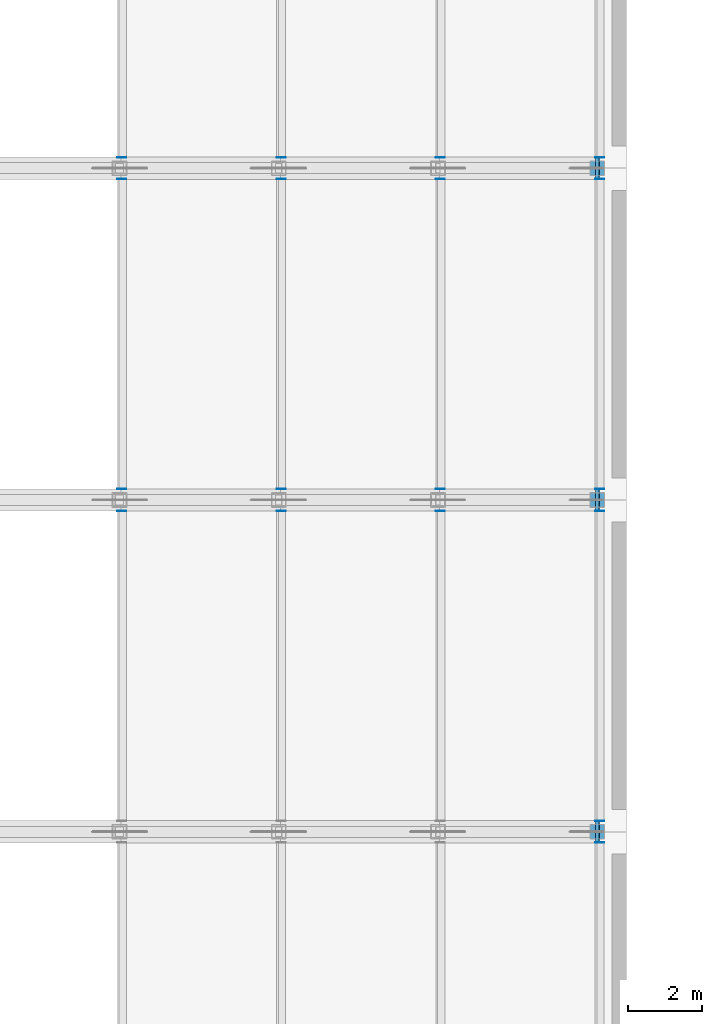
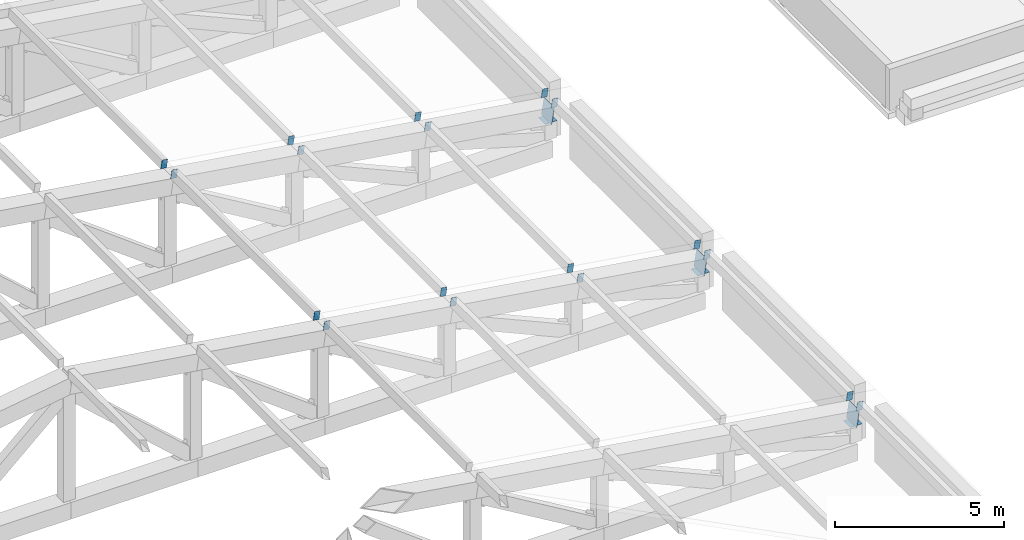
# One storey, part 29 of 32: 24 discrete accessories.
"""IFC4 building model written with IfcOpenShell, lengths in metres."""

import ifcopenshell
import ifcopenshell.guid

model = None  # the IFC model being written
_history = None  # IfcOwnerHistory: only IFC2X3 demands one
_inside = {}  # id of a spatial element -> (the spatial element, [elements in it])
_under = {}  # id of a project, library or spatial element -> (it, [spatial elements below it])
_declared = {}  # id of a project -> (the project, [libraries it declares])
_typed = {}  # id of a type object -> (the type object, [elements of that type])
_made_of = {}  # id of a material, layer set ... -> (it, [elements and type objects made of it])


def new_model(schema):
    """Start an empty IFC model of exactly this schema.

    Asked for "IFC4X3", IfcOpenShell would pick the latest addendum, in which some entities
    have other attributes; the version numbers below select the first issue.
    IFC2X3 requires an IfcOwnerHistory on every rooted entity: one is made here for all.
    """
    global model, _history
    if schema == "IFC4X3":
        model = ifcopenshell.file(schema_version=(4, 3, 0, 0))
    else:
        model = ifcopenshell.file(schema=schema)
    _inside.clear()
    _under.clear()
    _declared.clear()
    _typed.clear()
    _made_of.clear()
    _history = None
    if model.schema == "IFC2X3":
        org = make("IfcOrganization", Name="unknown")
        user = make(
            "IfcPersonAndOrganization",
            ThePerson=make("IfcPerson", FamilyName="unknown"),
            TheOrganization=org,
        )
        app = make(
            "IfcApplication",
            ApplicationDeveloper=org,
            Version="unknown",
            ApplicationFullName="unknown",
            ApplicationIdentifier="unknown",
        )
        _history = make(
            "IfcOwnerHistory",
            OwningUser=user,
            OwningApplication=app,
            ChangeAction="ADDED",
            CreationDate=0,
        )
    return model


def make(cls, **values):
    """One entity of the class cls with the attributes given. An attribute that is None is left unset."""
    return model.create_entity(
        cls, **{name: value for name, value in values.items() if value is not None}
    )


def rooted(cls, **values):
    """An entity with a GlobalId (a new one), such as an element, a storey or a relation."""
    return make(cls, GlobalId=ifcopenshell.guid.new(), OwnerHistory=_history, **values)


def si_unit(unit_type, name, prefix=None):
    """IfcSIUnit, for example si_unit("LENGTHUNIT", "METRE", prefix="MILLI")."""
    return make("IfcSIUnit", UnitType=unit_type, Prefix=prefix, Name=name)


def assignment(units):
    """IfcUnitAssignment: the units of a project."""
    return None if units is None else make("IfcUnitAssignment", Units=units)


def point(xyz):
    """IfcCartesianPoint."""
    return None if xyz is None else make("IfcCartesianPoint", Coordinates=xyz)


def direction(xyz):
    """IfcDirection."""
    return None if xyz is None else make("IfcDirection", DirectionRatios=xyz)


def frame(location, z_axis=None, x_axis=None):
    """IfcAxis2Placement3D, a coordinate frame: its origin and axes. An axis left out is left unset."""
    return make(
        "IfcAxis2Placement3D",
        Location=point(location),
        Axis=direction(z_axis),
        RefDirection=direction(x_axis),
    )


def origin():
    """The frame at (0, 0, 0) with its axes left unset."""
    return frame((0.0, 0.0, 0.0))


def place(relative_to, where):
    """IfcLocalPlacement: puts the frame where relative to a parent placement (None: the world)."""
    return make(
        "IfcLocalPlacement", PlacementRelTo=relative_to, RelativePlacement=where
    )


def context(
    kind, dimensions, precision=None, world=None, true_north=None, identifier=None
):
    """IfcGeometricRepresentationContext, for example the 3D "Model" context."""
    return make(
        "IfcGeometricRepresentationContext",
        ContextIdentifier=identifier,
        ContextType=kind,
        CoordinateSpaceDimension=dimensions,
        Precision=precision,
        WorldCoordinateSystem=world,
        TrueNorth=true_north,
    )


def subcontext(parent, identifier, kind, view, scale=None):
    """IfcGeometricRepresentationSubContext, for example "Body" below "Model"."""
    return make(
        "IfcGeometricRepresentationSubContext",
        ContextIdentifier=identifier,
        ContextType=kind,
        ParentContext=parent,
        TargetScale=scale,
        TargetView=view,
    )


def project(units=None, contexts=None):
    """IfcProject with its units and contexts."""
    return rooted(
        "IfcProject",
        Name="project",
        RepresentationContexts=contexts,
        UnitsInContext=assignment(units),
    )


def spatial(cls, under=None, at=None, **own):
    """A site, building, storey or space (cls), placed at a placement, below another one or the project."""
    s = rooted(cls, ObjectPlacement=at, **own)
    if under is not None:
        _under.setdefault(under.id(), (under, []))[1].append(s)
    return s


def polyline(points):
    """IfcPolyline through the points."""
    return make("IfcPolyline", Points=[point(p) for p in points])


def outline(outer, holes=None, kind="AREA"):
    """IfcArbitraryClosedProfileDef: a profile drawn as a closed curve; with holes, ...WithVoids."""
    if holes is None:
        return make("IfcArbitraryClosedProfileDef", ProfileType=kind, OuterCurve=outer)
    return make(
        "IfcArbitraryProfileDefWithVoids",
        ProfileType=kind,
        OuterCurve=outer,
        InnerCurves=holes,
    )


def extrude(swept, where, along, depth):
    """IfcExtrudedAreaSolid: the profile swept, set in the frame where, extruded along a direction by depth."""
    return make(
        "IfcExtrudedAreaSolid",
        SweptArea=swept,
        Position=where,
        ExtrudedDirection=direction(along),
        Depth=depth,
    )


def shape(context_of_items, identifier, shape_type, items):
    """IfcShapeRepresentation: the items that make up one representation, for example the "Body"."""
    return make(
        "IfcShapeRepresentation",
        ContextOfItems=context_of_items,
        RepresentationIdentifier=identifier,
        RepresentationType=shape_type,
        Items=items,
    )


def material(Name=None, Category=None):
    """IfcMaterial."""
    return make("IfcMaterial", Name=Name, Category=Category)


def layer(
    of_material, thickness, ventilated=None, Name=None, Category=None, Priority=None
):
    """IfcMaterialLayer: one layer of a wall or slab, of a material (None: an air gap)."""
    return make(
        "IfcMaterialLayer",
        Material=of_material,
        LayerThickness=thickness,
        IsVentilated=ventilated,
        Name=Name,
        Category=Category,
        Priority=Priority,
    )


def layer_set(layers, Name=None):
    """IfcMaterialLayerSet."""
    return make("IfcMaterialLayerSet", MaterialLayers=layers, LayerSetName=Name)


def made_of(thing, what):
    """Note that an element or type object is made of a material, layer set ...; save() writes the relation."""
    if what is not None:
        _made_of.setdefault(what.id(), (what, []))[1].append(thing)
    return thing


def type_object(cls, material=None, **own):
    """A type object (cls), such as IfcWallType, which elements share."""
    return made_of(rooted(cls, **own), material)


def element(
    cls,
    number,
    at=None,
    inside=None,
    cuts=None,
    type_object=None,
    material=None,
    context=None,
    identifier="Body",
    shape_type=None,
    held_by="IfcProductDefinitionShape",
    body=None,
    shapes=None,
    **own,
):
    """One element of the class cls, such as IfcWall. Its Tag is "e" and its number.

    at: its placement. inside: the storey or other place that contains it. cuts: it is an
    opening in that element (IfcRelVoidsElement). A single representation is given by context,
    identifier, shape_type and body (its items); several are given by shapes. held_by: the class
    of the entity that holds the representations. save() writes the other relations.
    """
    e = rooted(cls, Tag="e%d" % number, ObjectPlacement=at, **own)
    if body is not None:
        shapes = [shape(context, identifier, shape_type, body)]
    if shapes is not None:
        e.Representation = make(held_by, Representations=shapes)
    if inside is not None:
        _inside.setdefault(inside.id(), (inside, []))[1].append(e)
    if cuts is not None:
        rooted(
            "IfcRelVoidsElement", RelatingBuildingElement=cuts, RelatedOpeningElement=e
        )
    if type_object is not None:
        _typed.setdefault(type_object.id(), (type_object, []))[1].append(e)
    return made_of(e, material)


def aggregate(whole, parts):
    """IfcRelAggregates: a whole, such as a stair, and the parts it consists of."""
    return rooted("IfcRelAggregates", RelatingObject=whole, RelatedObjects=parts)


def save(model, path):
    """Write the relations noted so far, then the file.

    IfcRelAggregates (storeys below a building ...), IfcRelContainedInSpatialStructure (elements
    in a storey), IfcRelDefinesByType, IfcRelAssociatesMaterial and IfcRelDeclares: one each for
    every whole, place, type object, material and project.
    """
    for whole, parts in _under.values():
        aggregate(whole, parts)
    for where, things in _inside.values():
        rooted(
            "IfcRelContainedInSpatialStructure",
            RelatedElements=things,
            RelatingStructure=where,
        )
    for kind, things in _typed.values():
        rooted("IfcRelDefinesByType", RelatedObjects=things, RelatingType=kind)
    for what, things in _made_of.values():
        rooted("IfcRelAssociatesMaterial", RelatedObjects=things, RelatingMaterial=what)
    for by, libraries in _declared.values():
        rooted("IfcRelDeclares", RelatingContext=by, RelatedDefinitions=libraries)
    model.write(path)


model = new_model("IFC4")

# Units and contexts
model_context = context("Model", 3, precision=1e-05, world=origin(), true_north=direction((0.0, 1.0)))
body_context = subcontext(model_context, "Body", "Model", "MODEL_VIEW")
ifc_project = project(units=[si_unit("LENGTHUNIT", "METRE"), si_unit("AREAUNIT", "SQUARE_METRE"), si_unit("VOLUMEUNIT", "CUBIC_METRE"), si_unit("PLANEANGLEUNIT", "RADIAN"), si_unit("MASSUNIT", "GRAM", prefix="KILO")], contexts=[model_context])

# Site, building, storey
site_placement = place(None, origin())
site = spatial("IfcSite", under=ifc_project, at=site_placement, CompositionType="ELEMENT")
building_placement = place(site_placement, origin())
building = spatial("IfcBuilding", under=site, at=building_placement, Name="Aravalli Gate Trade Fair Centre", CompositionType="ELEMENT")
storey_placement = place(building_placement, frame((0.0, 0.0, 23.39990234375)))
storey = spatial("IfcBuildingStorey", under=building, at=storey_placement, Name="ROOF LEVEL 1", CompositionType="ELEMENT", Elevation=23.39990234375)

# Discrete accessories
ifc_material = material(Name="Steel E350", Category="steel")
ifc_layer_1 = layer(ifc_material, 0.010009765625)
ifc_layer_set_1 = layer_set([ifc_layer_1], Name="Steel E350")
discrete_accessory_type_1 = type_object("IfcDiscreteAccessoryType", Name="End plate 200x300 x 10", PredefinedType="USERDEFINED", material=ifc_layer_set_1)
for number, where, z_axis, x_axis, name in (
    (1, (137.18408203125, 90.7099609375, 3.761474609375), (0.0, 1.0, 0.0), (-0.988456294987, 0.0, 0.151506280072), "End plate Roof purlin line 8 bay 3 end B"),
    (2, (137.18408203125, 91.300048828125, 3.761474609375), (0.0, 1.0, 0.0), (-0.988456294987, 0.0, 0.151506280072), "End plate Roof purlin line 8 bay 4 end A"),
    (3, (137.18408203125, 99.7099609375, 3.761474609375), (0.0, 1.0, 0.0), (-0.988456294987, 0.0, 0.151506280072), "End plate Roof purlin line 8 bay 4 end B"),
    (4, (137.18408203125, 100.300048828125, 3.761474609375), (0.0, 1.0, 0.0), (-0.988456294987, 0.0, 0.151506280072), "End plate Roof purlin line 8 bay 5 end A"),
):
    element("IfcDiscreteAccessory", number, at=place(storey_placement, frame(where, z_axis=z_axis, x_axis=x_axis)), inside=storey, type_object=discrete_accessory_type_1, Name=name, ObjectType="END CAP", PredefinedType="USERDEFINED", context=body_context, shape_type="SweptSolid", body=[
        extrude(outline(polyline([(0.0, 0.0), (0.19981638705398722, -3.469446951953614e-18), (0.2001131926484928, 0.30004957524953746), (5.5483256862352837e-05, 0.30008656408744566), (0.0, 0.0)])), origin(), (0.0, 0.0, -1.0), 0.010009765625),
    ])
for number, where, z_axis, x_axis, name in (
    (5, (141.504150390625, 90.7099609375, 3.1015625), (0.0, 1.0, 0.0), (-0.988666145559, 0.0, 0.150130785066), "End plate Roof purlin line 9 bay 3 end B"),
    (6, (141.504150390625, 91.300048828125, 3.1015625), (0.0, 1.0, 0.0), (-0.988666145559, 0.0, 0.150130785066), "End plate Roof purlin line 9 bay 4 end A"),
    (7, (141.504150390625, 99.7099609375, 3.1015625), (0.0, 1.0, 0.0), (-0.988666145559, 0.0, 0.150130785066), "End plate Roof purlin line 9 bay 4 end B"),
    (8, (141.504150390625, 100.300048828125, 3.1015625), (0.0, 1.0, 0.0), (-0.988666145559, 0.0, 0.150130785066), "End plate Roof purlin line 9 bay 5 end A"),
):
    element("IfcDiscreteAccessory", number, at=place(storey_placement, frame(where, z_axis=z_axis, x_axis=x_axis)), inside=storey, type_object=discrete_accessory_type_1, Name=name, ObjectType="END CAP", PredefinedType="USERDEFINED", context=body_context, shape_type="SweptSolid", body=[
        extrude(outline(polyline([(0.0, 0.0), (0.20002091417634477, -3.469446951953614e-18), (0.19965885382030493, 0.30008635080006396), (-0.00036206035603982695, 0.30008635080006396), (0.0, 0.0)])), origin(), (0.0, 0.0, -1.0), 0.010009765625),
    ])
for number, where, z_axis, x_axis, name in (
    (9, (145.82421875, 90.7099609375, 2.44140625), (0.0, 1.0, 0.0), (-0.988484290215, 0.0, 0.151323520971), "End plate Roof purlin line 10 bay 3 end B"),
    (10, (145.82421875, 91.300048828125, 2.44140625), (0.0, 1.0, 0.0), (-0.988484290215, 0.0, 0.151323520971), "End plate Roof purlin line 10 bay 4 end A"),
    (11, (145.82421875, 99.7099609375, 2.44140625), (0.0, 1.0, 0.0), (-0.988484290215, 0.0, 0.151323520971), "End plate Roof purlin line 10 bay 4 end B"),
    (12, (145.82421875, 100.300048828125, 2.44140625), (0.0, 1.0, 0.0), (-0.988484290215, 0.0, 0.151323520971), "End plate Roof purlin line 10 bay 5 end A"),
):
    element("IfcDiscreteAccessory", number, at=place(storey_placement, frame(where, z_axis=z_axis, x_axis=x_axis)), inside=storey, type_object=discrete_accessory_type_1, Name=name, ObjectType="END CAP", PredefinedType="USERDEFINED", context=body_context, shape_type="SweptSolid", body=[
        extrude(outline(polyline([(0.0, 0.0), (0.2000577128110791, 0.0), (0.2000577128110791, 0.30008656921661864), (0.0002413291724156566, 0.30004962499763155), (0.0, 0.0)])), origin(), (0.0, 0.0, -1.0), 0.010009765625),
    ])
for number, where, z_axis, x_axis, name in (
    (13, (150.144287109375, 81.7099609375, 1.781494140625), (0.0, 1.0, 0.0), (-0.988484290215, 0.0, 0.151323520971), "End plate Roof purlin line 11 bay 2 end B"),
    (14, (150.144287109375, 82.300048828125, 1.781494140625), (0.0, 1.0, 0.0), (-0.988484290215, 0.0, 0.151323520971), "End plate Roof purlin line 11 bay 3 end A"),
    (15, (150.144287109375, 90.7099609375, 1.781494140625), (0.0, 1.0, 0.0), (-0.988484290215, 0.0, 0.151323520971), "End plate Roof purlin line 11 bay 3 end B"),
    (16, (150.144287109375, 91.300048828125, 1.781494140625), (0.0, 1.0, 0.0), (-0.988484290215, 0.0, 0.151323520971), "End plate Roof purlin line 11 bay 4 end A"),
    (17, (150.144287109375, 99.7099609375, 1.781494140625), (0.0, 1.0, 0.0), (-0.988484290215, 0.0, 0.151323520971), "End plate Roof purlin line 11 bay 4 end B"),
    (18, (150.144287109375, 100.300048828125, 1.781494140625), (0.0, 1.0, 0.0), (-0.988484290215, 0.0, 0.151323520971), "End plate Roof purlin line 11 bay 5 end A"),
):
    element("IfcDiscreteAccessory", number, at=place(storey_placement, frame(where, z_axis=z_axis, x_axis=x_axis)), inside=storey, type_object=discrete_accessory_type_1, Name=name, ObjectType="END CAP", PredefinedType="USERDEFINED", context=body_context, shape_type="SweptSolid", body=[
        extrude(outline(polyline([(0.0, 0.0), (0.2000577128110791, 0.0), (0.20029904198349474, 0.30004962499763155), (0.0002413291724156566, 0.30004962499763155), (0.0, 0.0)])), origin(), (0.0, 0.0, -1.0), 0.010009765625),
    ])
ifc_layer_2 = layer(ifc_material, 0.011962890625)
ifc_layer_set_2 = layer_set([ifc_layer_2], Name="Steel E350")
discrete_accessory_type_2 = type_object("IfcDiscreteAccessoryType", Name="End plate 400x400 x 12", PredefinedType="USERDEFINED", material=ifc_layer_set_2)
for number, where, z_axis, x_axis, name in (
    (19, (149.800048828125, 81.800048828125, 1.20849609375), (0.0, 0.0, 1.0), (1.0, 0.0, 0.0), "End plate Roof truss 82 post 10 end B"),
    (20, (149.800048828125, 90.800048828125, 1.20849609375), (0.0, 0.0, 1.0), (1.0, 0.0, 0.0), "End plate Roof truss 91 post 10 end B"),
    (21, (149.800048828125, 99.800048828125, 1.20849609375), (0.0, 0.0, 1.0), (1.0, 0.0, 0.0), "End plate Roof truss 100 post 10 end B"),
):
    element("IfcDiscreteAccessory", number, at=place(storey_placement, frame(where, z_axis=z_axis, x_axis=x_axis)), inside=storey, type_object=discrete_accessory_type_2, Name=name, ObjectType="END CAP", PredefinedType="USERDEFINED", context=body_context, shape_type="SweptSolid", body=[
        extrude(outline(polyline([(0.0, 0.0), (0.39990234375, 0.0), (0.39990234375, 0.39990234375), (0.0, 0.39990234375), (0.0, 0.0)])), origin(), (0.0, 0.0, -1.0), 0.011962890625),
    ])
ifc_layer_3 = layer(ifc_material, 0.01611328125)
ifc_layer_set_3 = layer_set([ifc_layer_3], Name="Steel E350")
discrete_accessory_type_3 = type_object("IfcDiscreteAccessoryType", Name="End plate 600x600 x 16", PredefinedType="USERDEFINED", material=ifc_layer_set_3)
for number, where, z_axis, x_axis, name in (
    (22, (149.95458984375, 81.699951171875, 1.20361328125), (-0.988474969732, 0.0, 0.151384392236), (0.0, 1.0, 0.0), "End plate Roof truss 82 top chord 10 end B"),
    (23, (149.95458984375, 90.699951171875, 1.20361328125), (-0.988474969732, 0.0, 0.151384392236), (0.0, 1.0, 0.0), "End plate Roof truss 91 top chord 10 end B"),
    (24, (149.95458984375, 99.699951171875, 1.20361328125), (-0.988474969732, 0.0, 0.151384392236), (0.0, 1.0, 0.0), "End plate Roof truss 100 top chord 10 end B"),
):
    element("IfcDiscreteAccessory", number, at=place(storey_placement, frame(where, z_axis=z_axis, x_axis=x_axis)), inside=storey, type_object=discrete_accessory_type_3, Name=name, ObjectType="END CAP", PredefinedType="USERDEFINED", context=body_context, shape_type="SweptSolid", body=[
        extrude(outline(polyline([(0.0, 0.0), (0.60009765625, 0.0), (0.60009765625, -0.5999318103983469), (0.0, -0.5999318103983469), (0.0, 0.0)])), origin(), (0.0, 0.0, -1.0), 0.01611328125),
    ])

save(model, "model.ifc")
